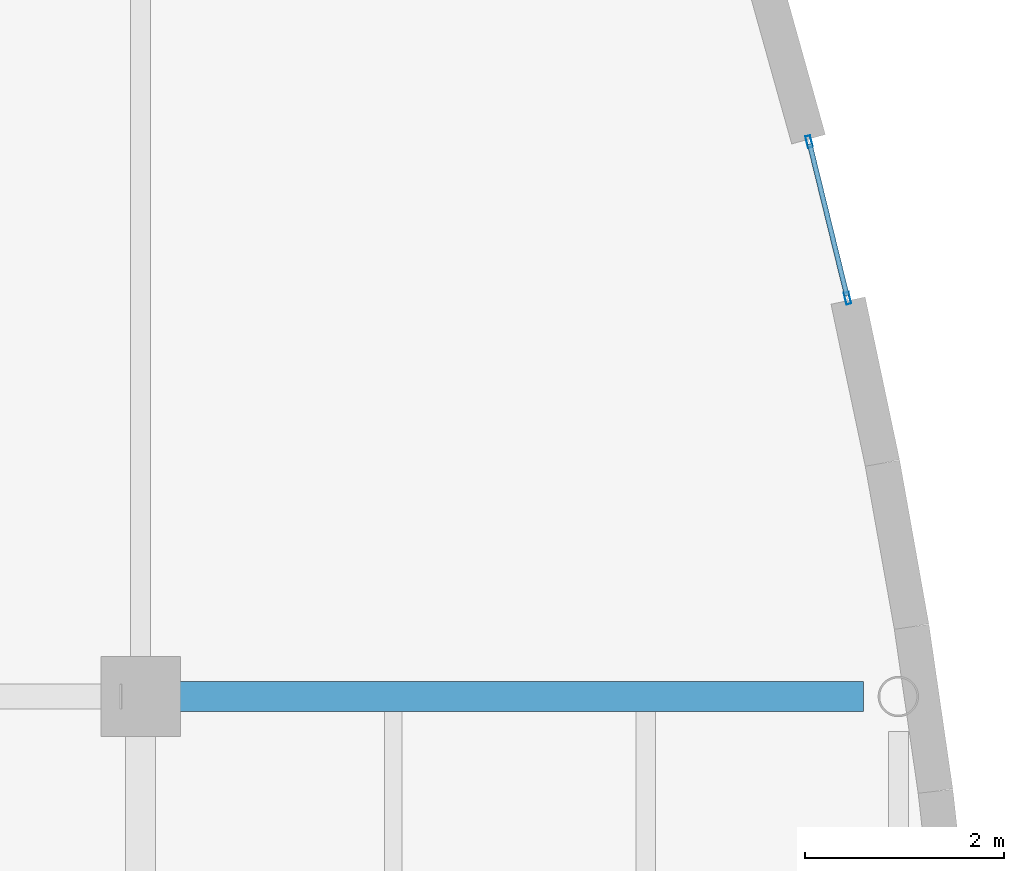
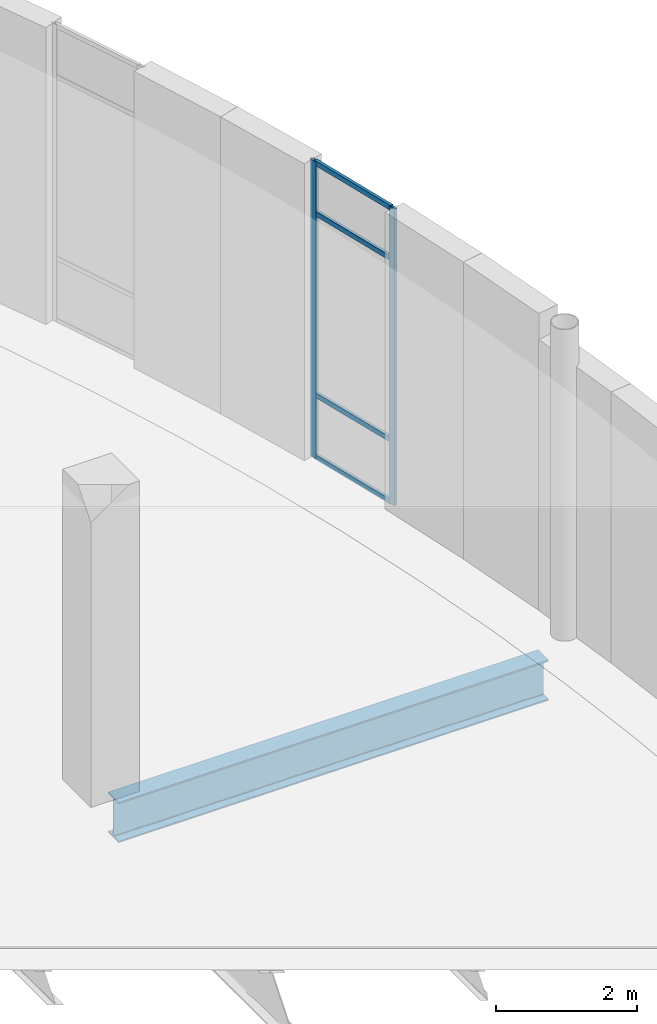
# One storey, part 49 of 110: 6 members, 1 beam, 1 element without a shape of its own.
"""IFC4 building model written with IfcOpenShell, lengths in metres."""

from ifc_helpers import new_model, si_unit, direction, frame, origin, origin_2d, place, context, subcontext, project, spatial, hollow_rectangle, i_section, extrude, material, layer, layer_set, material_profile, profile_set, type_object, element, aggregate, save


model = new_model("IFC4")

# Units and contexts
model_context = context("Model", 3, precision=1e-05, world=origin(), true_north=direction((0.0, 1.0)))
body_context = subcontext(model_context, "Body", "Model", "MODEL_VIEW")
ifc_project = project(units=[si_unit("LENGTHUNIT", "METRE"), si_unit("AREAUNIT", "SQUARE_METRE"), si_unit("VOLUMEUNIT", "CUBIC_METRE"), si_unit("PLANEANGLEUNIT", "RADIAN"), si_unit("MASSUNIT", "GRAM", prefix="KILO"), si_unit("THERMODYNAMICTEMPERATUREUNIT", "KELVIN")], contexts=[model_context])

# Site, building, storey
site_placement = place(None, origin())
site = spatial("IfcSite", under=ifc_project, at=site_placement, CompositionType="ELEMENT")
building_placement = place(site_placement, origin())
building = spatial("IfcBuilding", under=site, at=building_placement, Name="Lustrewick Department Store", CompositionType="ELEMENT")
storey_placement = place(building_placement, frame((0.0, 0.0, 6.0)))
storey = spatial("IfcBuildingStorey", under=building, at=storey_placement, Name="L02", CompositionType="ELEMENT", Elevation=6.0)

# Curtain wall, members
ifc_material_1 = material(Name="Thermally broken aluminium 6063-T5", Category="aluminium")
ifc_layer = layer(ifc_material_1, 0.1201171875, Name="Thermally broken aluminium 6063-T5")
ifc_layer_set = layer_set([ifc_layer], Name="Thermally broken aluminium 6063-T5")
curtain_wall_type = type_object("IfcCurtainWallType", Name="CW08", PredefinedType="NOTDEFINED", material=ifc_layer_set)
curtain_wall_placement = place(storey_placement, origin())
curtain_wall = element("IfcCurtainWall", 1, at=curtain_wall_placement, inside=storey, type_object=curtain_wall_type, Name="L02 V4 Curtain Wall CW08", PredefinedType="NOTDEFINED")
ifc_material_profile_1 = material_profile(ifc_material_1, hollow_rectangle(XDim=0.050048828125, YDim=0.1201171875, WallThickness=0.0029296875, at=origin_2d()), Name="ALU-M 50x120x3")
ifc_profile_set_1 = profile_set([ifc_material_profile_1], Name="Thermally broken aluminium 6063-T5")
member_type_1 = type_object("IfcMemberType", Name="CW08-M1", PredefinedType="MULLION", material=ifc_profile_set_1)
member_1_placement = place(storey_placement, frame((166.6904296875, 71.1953125, 0.0), z_axis=(0.0, 0.0, 1.0), x_axis=(-0.971223151595, -0.238171345478, 0.0)))
member_1 = element("IfcMember", 2, at=member_1_placement, type_object=member_type_1, Name="CW08 mullion 1", PredefinedType="MULLION", context=body_context, shape_type="SweptSolid", body=[
    extrude(hollow_rectangle(XDim=0.050048828125, YDim=0.1201171875, WallThickness=0.0029296875, at=origin_2d()), origin(), (0.0, 0.0, 1.0), 5.14501953125),
])
member_2_placement = place(storey_placement, frame((166.30517578125, 72.765625, 0.0), z_axis=(0.0, 0.0, 1.0), x_axis=(-0.971223151595, -0.238171345478, 0.0)))
member_2 = element("IfcMember", 3, at=member_2_placement, type_object=member_type_1, Name="CW08 mullion 2", PredefinedType="MULLION", context=body_context, shape_type="SweptSolid", body=[
    extrude(hollow_rectangle(XDim=0.050048828125, YDim=0.1201171875, WallThickness=0.0029296875, at=origin_2d()), origin(), (0.0, 0.0, 1.0), 5.14501953125),
])
ifc_material_profile_2 = material_profile(ifc_material_1, hollow_rectangle(XDim=0.050048828125, YDim=0.0849609375, WallThickness=0.0029296875, at=origin_2d()), Name="ALU-T 50x85x3")
ifc_profile_set_2 = profile_set([ifc_material_profile_2], Name="Thermally broken aluminium 6063-T5")
member_type_2 = type_object("IfcMemberType", Name="CW08-T1", PredefinedType="USERDEFINED", material=ifc_profile_set_2)
member_3_placement = place(storey_placement, frame((166.684326171875, 71.2197265625, 0.02490234375), z_axis=(-0.238096731813, 0.971241445934, 0.0), x_axis=(-0.971241445934, -0.238096731813, 0.0)))
member_3 = element("IfcMember", 4, at=member_3_placement, type_object=member_type_2, Name="CW08 transom 1.1", ObjectType="TRANSOM", PredefinedType="USERDEFINED", context=body_context, shape_type="SweptSolid", body=[
    extrude(hollow_rectangle(XDim=0.050048828125, YDim=0.0849609375, WallThickness=0.0029296875, at=origin_2d()), origin(), (0.0, 0.0, 1.0), 1.56689453125),
])
member_4_placement = place(storey_placement, frame((166.684326171875, 71.2197265625, 1.10009765625), z_axis=(-0.238096731813, 0.971241445934, 0.0), x_axis=(-0.971241445934, -0.238096731813, 0.0)))
member_4 = element("IfcMember", 5, at=member_4_placement, type_object=member_type_2, Name="CW08 transom 1.2", ObjectType="TRANSOM", PredefinedType="USERDEFINED", context=body_context, shape_type="SweptSolid", body=[
    extrude(hollow_rectangle(XDim=0.050048828125, YDim=0.0849609375, WallThickness=0.0029296875, at=origin_2d()), origin(), (0.0, 0.0, 1.0), 1.56689453125),
])
member_5_placement = place(storey_placement, frame((166.684326171875, 71.2197265625, 4.2451171875), z_axis=(-0.238096731813, 0.971241445934, 0.0), x_axis=(-0.971241445934, -0.238096731813, 0.0)))
member_5 = element("IfcMember", 6, at=member_5_placement, type_object=member_type_2, Name="CW08 transom 1.3", ObjectType="TRANSOM", PredefinedType="USERDEFINED", context=body_context, shape_type="SweptSolid", body=[
    extrude(hollow_rectangle(XDim=0.050048828125, YDim=0.0849609375, WallThickness=0.0029296875, at=origin_2d()), origin(), (0.0, 0.0, 1.0), 1.56689453125),
])
member_6_placement = place(storey_placement, frame((166.684326171875, 71.2197265625, 5.1201171875), z_axis=(-0.238096731813, 0.971241445934, 0.0), x_axis=(-0.971241445934, -0.238096731813, 0.0)))
member_6 = element("IfcMember", 7, at=member_6_placement, type_object=member_type_2, Name="CW08 transom 1.4", ObjectType="TRANSOM", PredefinedType="USERDEFINED", context=body_context, shape_type="SweptSolid", body=[
    extrude(hollow_rectangle(XDim=0.050048828125, YDim=0.0849609375, WallThickness=0.0029296875, at=origin_2d()), origin(), (0.0, 0.0, 1.0), 1.56689453125),
])
aggregate(curtain_wall, [member_1, member_2, member_3, member_4, member_5, member_6])

# Beam
ifc_material_2 = material(Name="Structural steel Q355B", Category="steel")
ifc_material_profile_3 = material_profile(ifc_material_2, i_section(OverallWidth=0.300048828125, OverallDepth=0.699951171875, WebThickness=0.012939453125, FlangeThickness=0.02392578125, FilletRadius=0.02001953125, at=origin_2d()), Name="HN 700x300x13x24")
ifc_profile_set_3 = profile_set([ifc_material_profile_3], Name="Structural steel Q355B")
beam_type = type_object("IfcBeamType", Name="G08", PredefinedType="BEAM", material=ifc_profile_set_3)
beam_placement = place(storey_placement, frame((159.800048828125, 67.199951171875, -0.60498046875), z_axis=(1.0, 0.0, 0.0), x_axis=(0.0, 1.0, 0.0)))
element("IfcBeam", 8, at=beam_placement, inside=storey, type_object=beam_type, Name="L02 V4 Girder G08", PredefinedType="BEAM", context=body_context, shape_type="SweptSolid", body=[
    extrude(i_section(OverallWidth=0.300048828125, OverallDepth=0.699951171875, WebThickness=0.012939453125, FlangeThickness=0.02392578125, FilletRadius=0.02001953125, at=origin_2d()), origin(), (0.0, 0.0, 1.0), 7.050048828125),
])

save(model, "model.ifc")
